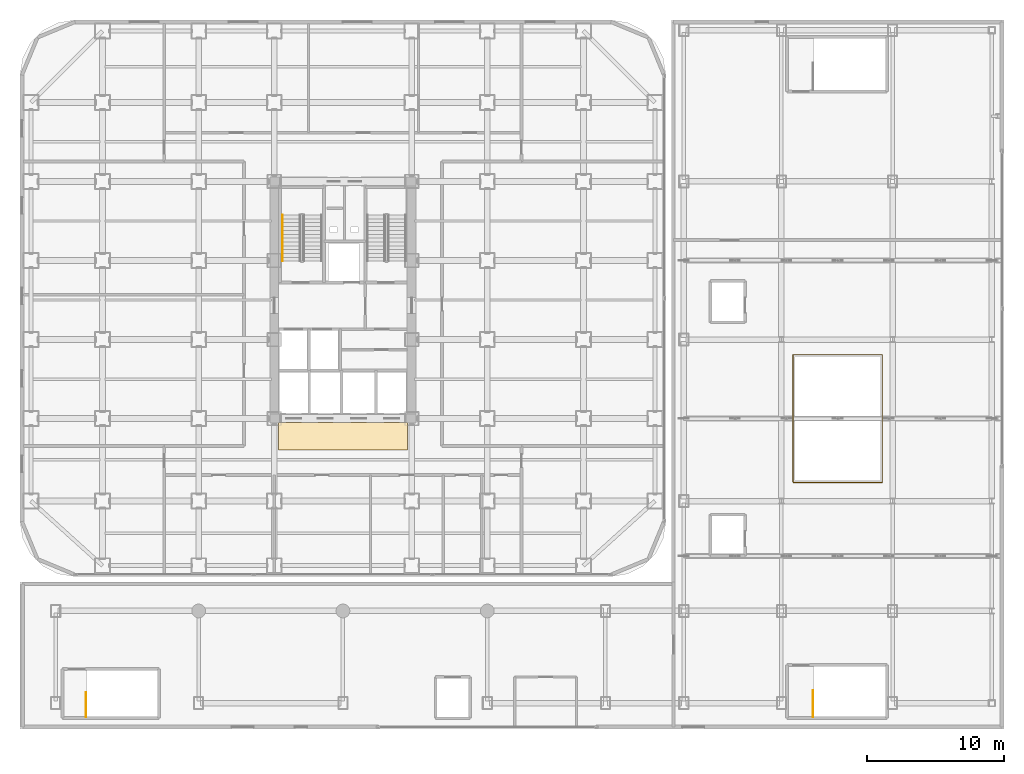
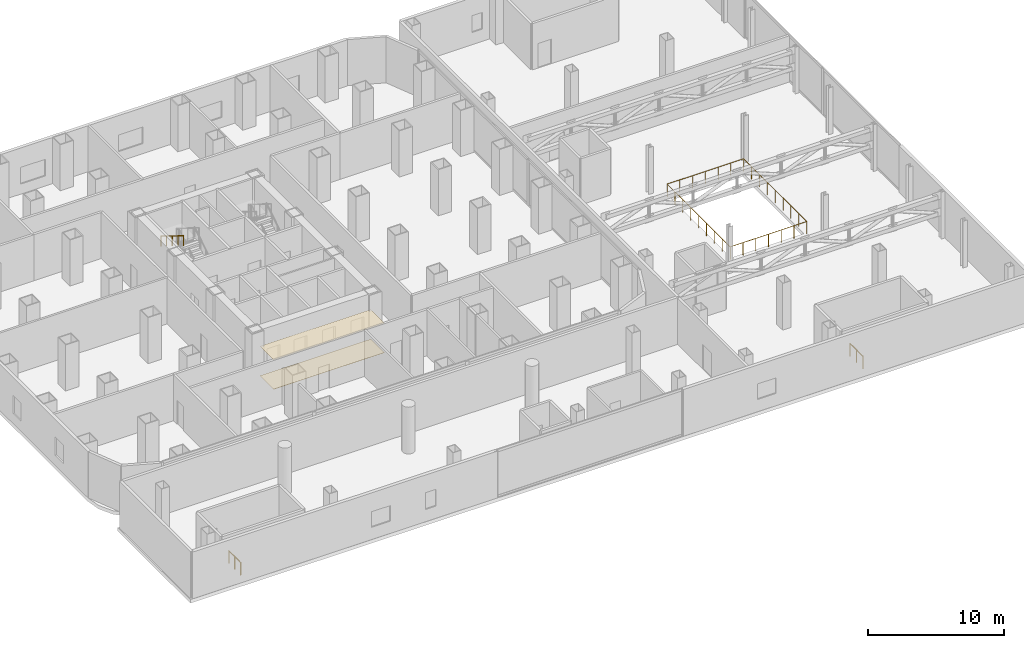
# One storey, part 26 of 28: 4 railings, 2 coverings.
"""IFC4 building model written with IfcOpenShell, lengths in metres."""

from ifc_helpers import new_model, si_unit, direction, frame, origin, origin_2d, place, context, subcontext, project, spatial, polyline, circle, outline, extrude, material, layer, layer_set, type_object, element, save


model = new_model("IFC4")

# Units and contexts
model_context = context("Model", 3, precision=1e-05, world=origin(), true_north=direction((0.0, 1.0)))
body_context = subcontext(model_context, "Body", "Model", "MODEL_VIEW")
ifc_project = project(units=[si_unit("LENGTHUNIT", "METRE"), si_unit("AREAUNIT", "SQUARE_METRE"), si_unit("VOLUMEUNIT", "CUBIC_METRE"), si_unit("PLANEANGLEUNIT", "RADIAN"), si_unit("MASSUNIT", "GRAM", prefix="KILO")], contexts=[model_context])

# Site, building, storey
site_placement = place(None, origin())
site = spatial("IfcSite", under=ifc_project, at=site_placement, CompositionType="ELEMENT")
building_placement = place(site_placement, origin())
building = spatial("IfcBuilding", under=site, at=building_placement, Name="Kolveth Station Tower", CompositionType="ELEMENT")
storey_placement = place(building_placement, frame((0.0, 0.0, 18.0)))
storey = spatial("IfcBuildingStorey", under=building, at=storey_placement, Name="L04", CompositionType="ELEMENT", Elevation=18.0)

# Coverings
ifc_material_1 = material(Name="Acoustic mineral-fibre ceiling tile")
ifc_layer_1 = layer(ifc_material_1, 0.02490234375)
ifc_layer_set_1 = layer_set([ifc_layer_1], Name="Acoustic mineral-fibre ceiling tile")
covering_type_1 = type_object("IfcCoveringType", Name="Ceil_CL1", PredefinedType="CEILING", material=ifc_layer_set_1)
covering_1_placement = place(storey_placement, frame((0.0, 0.0, 2.64990234375)))
element("IfcCovering", 1, at=covering_1_placement, inside=storey, type_object=covering_type_1, Name="L04 Lift Lobby Suspended Ceiling", PredefinedType="CEILING", context=body_context, shape_type="SweptSolid", body=[
    extrude(outline(polyline([(18.800048828125, 9.199951171875), (28.199951171875, 9.199951171875), (28.199951171875, 11.199951171875), (18.800048828125, 11.199951171875), (18.800048828125, 9.199951171875)])), origin(), (0.0, 0.0, 1.0), 0.025146484375),
])
ifc_material_2 = material(Name="Honed terrazzo flooring")
ifc_layer_2 = layer(ifc_material_2, 0.02001953125)
ifc_layer_set_2 = layer_set([ifc_layer_2], Name="Honed terrazzo flooring")
covering_type_2 = type_object("IfcCoveringType", Name="Floor_FL1", PredefinedType="FLOORING", material=ifc_layer_set_2)
covering_2_placement = place(storey_placement, origin())
element("IfcCovering", 2, at=covering_2_placement, inside=storey, type_object=covering_type_2, Name="L04 Lift Lobby Floor Finish", PredefinedType="FLOORING", context=body_context, shape_type="SweptSolid", body=[
    extrude(outline(polyline([(18.800048828125, 9.199951171875), (28.199951171875, 9.199951171875), (28.199951171875, 11.199951171875), (18.800048828125, 11.199951171875), (18.800048828125, 9.199951171875)])), origin(), (0.0, 0.0, 1.0), 0.02001953125),
])

# Railings
ifc_material_3 = material(Name="Painted Steel S355 balustrade", Category="steel")
railing_type_1 = type_object("IfcRailingType", Name="Guard_GR2", PredefinedType="BALUSTRADE", material=ifc_material_3)
railing_1_placement = place(storey_placement, frame((57.699951171875, -10.199951171875, 0.0)))
element("IfcRailing", 3, at=railing_1_placement, inside=storey, type_object=railing_type_1, Name="L04 ST4 top well guard 1", PredefinedType="BALUSTRADE", context=body_context, shape_type="SweptSolid", body=[
    extrude(circle(Radius=0.02392578125, at=origin_2d()), frame((0.0, 0.0, 1.1259765625), z_axis=(0.0, 1.0, 0.0), x_axis=(-1.0, 0.0, 0.0)), (0.0, 0.0, 1.0), 1.909912109375),
    extrude(circle(Radius=0.02099609375, at=origin_2d()), origin(), (0.0, 0.0, 1.0), 1.101806640625),
    extrude(circle(Radius=0.02099609375, at=origin_2d()), frame((0.0, 0.955078125, 0.0)), (0.0, 0.0, 1.0), 1.101806640625),
    extrude(circle(Radius=0.02099609375, at=origin_2d()), frame((0.0, 1.909912109375, 0.0)), (0.0, 0.0, 1.0), 1.101806640625),
])
railing_2_placement = place(storey_placement, frame((4.800048828125, -10.199951171875, 0.0)))
element("IfcRailing", 4, at=railing_2_placement, inside=storey, type_object=railing_type_1, Name="L04 ST5 top well guard 1", PredefinedType="BALUSTRADE", context=body_context, shape_type="SweptSolid", body=[
    extrude(circle(Radius=0.02392578125, at=origin_2d()), frame((0.0, 0.0, 1.1259765625), z_axis=(0.0, 1.0, 0.0), x_axis=(-1.0, 0.0, 0.0)), (0.0, 0.0, 1.0), 1.760009765625),
    extrude(circle(Radius=0.02099609375, at=origin_2d()), origin(), (0.0, 0.0, 1.0), 1.101806640625),
    extrude(circle(Radius=0.02099609375, at=origin_2d()), frame((0.0, 0.8798828125, 0.0)), (0.0, 0.0, 1.0), 1.101806640625),
    extrude(circle(Radius=0.02099609375, at=origin_2d()), frame((0.0, 1.760009765625, 0.0)), (0.0, 0.0, 1.0), 1.101806640625),
])
railing_3_placement = place(storey_placement, frame((56.25, 6.85009765625, 0.0)))
element("IfcRailing", 5, at=railing_3_placement, inside=storey, type_object=railing_type_1, Name="L04 Station Atrium Void Guard Railing", PredefinedType="BALUSTRADE", context=body_context, shape_type="SweptSolid", body=[
    extrude(circle(Radius=0.02392578125, at=origin_2d()), frame((0.0, 0.0, 1.1259765625), z_axis=(1.0, 0.0, 0.0), x_axis=(0.0, 1.0, 0.0)), (0.0, 0.0, 1.0), 6.5),
    extrude(circle(Radius=0.02392578125, at=origin_2d()), frame((6.5, 0.0, 1.1259765625), z_axis=(0.0, 1.0, 0.0), x_axis=(-1.0, 0.0, 0.0)), (0.0, 0.0, 1.0), 9.2998046875),
    extrude(circle(Radius=0.02392578125, at=origin_2d()), frame((6.5, 9.2998046875, 1.1259765625), z_axis=(-1.0, 0.0, 0.0), x_axis=(0.0, -1.0, 0.0)), (0.0, 0.0, 1.0), 6.5),
    extrude(circle(Radius=0.02392578125, at=origin_2d()), frame((0.0, 9.2998046875, 1.1259765625), z_axis=(0.0, -1.0, 0.0), x_axis=(1.0, 0.0, 0.0)), (0.0, 0.0, 1.0), 9.27490234375),
    extrude(circle(Radius=0.02099609375, at=origin_2d()), origin(), (0.0, 0.0, 1.0), 1.101806640625),
    extrude(circle(Radius=0.02099609375, at=origin_2d()), frame((1.083251953125, 0.0, 0.0)), (0.0, 0.0, 1.0), 1.101806640625),
    extrude(circle(Radius=0.02099609375, at=origin_2d()), frame((2.166748046875, 0.0, 0.0)), (0.0, 0.0, 1.0), 1.101806640625),
    extrude(circle(Radius=0.02099609375, at=origin_2d()), frame((3.25, 0.0, 0.0)), (0.0, 0.0, 1.0), 1.101806640625),
    extrude(circle(Radius=0.02099609375, at=origin_2d()), frame((4.333251953125, 0.0, 0.0)), (0.0, 0.0, 1.0), 1.101806640625),
    extrude(circle(Radius=0.02099609375, at=origin_2d()), frame((5.416748046875, 0.0, 0.0)), (0.0, 0.0, 1.0), 1.101806640625),
    extrude(circle(Radius=0.02099609375, at=origin_2d()), frame((6.5, 0.0, 0.0)), (0.0, 0.0, 1.0), 1.101806640625),
    extrude(circle(Radius=0.02099609375, at=origin_2d()), frame((6.5, 1.16259765625, 0.0)), (0.0, 0.0, 1.0), 1.101806640625),
    extrude(circle(Radius=0.02099609375, at=origin_2d()), frame((6.5, 2.324951171875, 0.0)), (0.0, 0.0, 1.0), 1.101806640625),
    extrude(circle(Radius=0.02099609375, at=origin_2d()), frame((6.5, 3.4873046875, 0.0)), (0.0, 0.0, 1.0), 1.101806640625),
    extrude(circle(Radius=0.02099609375, at=origin_2d()), frame((6.5, 4.64990234375, 0.0)), (0.0, 0.0, 1.0), 1.101806640625),
    extrude(circle(Radius=0.02099609375, at=origin_2d()), frame((6.5, 5.8125, 0.0)), (0.0, 0.0, 1.0), 1.101806640625),
    extrude(circle(Radius=0.02099609375, at=origin_2d()), frame((6.5, 6.974853515625, 0.0)), (0.0, 0.0, 1.0), 1.101806640625),
    extrude(circle(Radius=0.02099609375, at=origin_2d()), frame((6.5, 8.13720703125, 0.0)), (0.0, 0.0, 1.0), 1.101806640625),
    extrude(circle(Radius=0.02099609375, at=origin_2d()), frame((6.5, 9.2998046875, 0.0)), (0.0, 0.0, 1.0), 1.101806640625),
    extrude(circle(Radius=0.02099609375, at=origin_2d()), frame((5.416748046875, 9.2998046875, 0.0)), (0.0, 0.0, 1.0), 1.101806640625),
    extrude(circle(Radius=0.02099609375, at=origin_2d()), frame((4.333251953125, 9.2998046875, 0.0)), (0.0, 0.0, 1.0), 1.101806640625),
    extrude(circle(Radius=0.02099609375, at=origin_2d()), frame((3.25, 9.2998046875, 0.0)), (0.0, 0.0, 1.0), 1.101806640625),
    extrude(circle(Radius=0.02099609375, at=origin_2d()), frame((2.166748046875, 9.2998046875, 0.0)), (0.0, 0.0, 1.0), 1.101806640625),
    extrude(circle(Radius=0.02099609375, at=origin_2d()), frame((1.083251953125, 9.2998046875, 0.0)), (0.0, 0.0, 1.0), 1.101806640625),
    extrude(circle(Radius=0.02099609375, at=origin_2d()), frame((0.0, 9.2998046875, 0.0)), (0.0, 0.0, 1.0), 1.101806640625),
    extrude(circle(Radius=0.02099609375, at=origin_2d()), frame((0.0, 8.140380859375, 0.0)), (0.0, 0.0, 1.0), 1.101806640625),
    extrude(circle(Radius=0.02099609375, at=origin_2d()), frame((0.0, 6.98095703125, 0.0)), (0.0, 0.0, 1.0), 1.101806640625),
    extrude(circle(Radius=0.02099609375, at=origin_2d()), frame((0.0, 5.82177734375, 0.0)), (0.0, 0.0, 1.0), 1.101806640625),
    extrude(circle(Radius=0.02099609375, at=origin_2d()), frame((0.0, 4.662353515625, 0.0)), (0.0, 0.0, 1.0), 1.101806640625),
    extrude(circle(Radius=0.02099609375, at=origin_2d()), frame((0.0, 3.5029296875, 0.0)), (0.0, 0.0, 1.0), 1.101806640625),
    extrude(circle(Radius=0.02099609375, at=origin_2d()), frame((0.0, 2.34375, 0.0)), (0.0, 0.0, 1.0), 1.101806640625),
    extrude(circle(Radius=0.02099609375, at=origin_2d()), frame((0.0, 1.184326171875, 0.0)), (0.0, 0.0, 1.0), 1.101806640625),
    extrude(circle(Radius=0.02099609375, at=origin_2d()), frame((0.0, 0.02490234375, 0.0)), (0.0, 0.0, 1.0), 1.101806640625),
])
ifc_material_4 = material(Name="Brushed stainless steel", Category="steel")
railing_type_2 = type_object("IfcRailingType", Name="Handrail_HR1", PredefinedType="HANDRAIL", material=ifc_material_4)
railing_4_placement = place(storey_placement, frame((19.090087890625, 26.31005859375, 2.423095703125)))
element("IfcRailing", 6, at=railing_4_placement, inside=storey, type_object=railing_type_2, Name="L04 ST1 stair handrail 2", PredefinedType="HANDRAIL", context=body_context, shape_type="SweptSolid", body=[
    extrude(circle(Radius=0.02392578125, at=origin_2d()), frame((0.0, 0.0, 0.8759765625), z_axis=(0.0, -0.850623216509, 0.525775754039), x_axis=(1.0, 0.0, 0.0)), (0.0, 0.0, 1.0), 3.9501953125),
    extrude(circle(Radius=0.02099609375, at=origin_2d()), origin(), (0.0, 0.0, 1.0), 0.851806640625),
    extrude(circle(Radius=0.02099609375, at=origin_2d()), frame((0.0, -0.840087890625, 0.519287109375)), (0.0, 0.0, 1.0), 0.851806640625),
    extrude(circle(Radius=0.02099609375, at=origin_2d()), frame((0.0, -1.68017578125, 1.03857421875)), (0.0, 0.0, 1.0), 0.851806640625),
    extrude(circle(Radius=0.02099609375, at=origin_2d()), frame((0.0, -2.52001953125, 1.5576171875)), (0.0, 0.0, 1.0), 0.851806640625),
    extrude(circle(Radius=0.02099609375, at=origin_2d()), frame((0.0, -3.360107421875, 2.076904296875)), (0.0, 0.0, 1.0), 0.851806640625),
])

save(model, "model.ifc")
